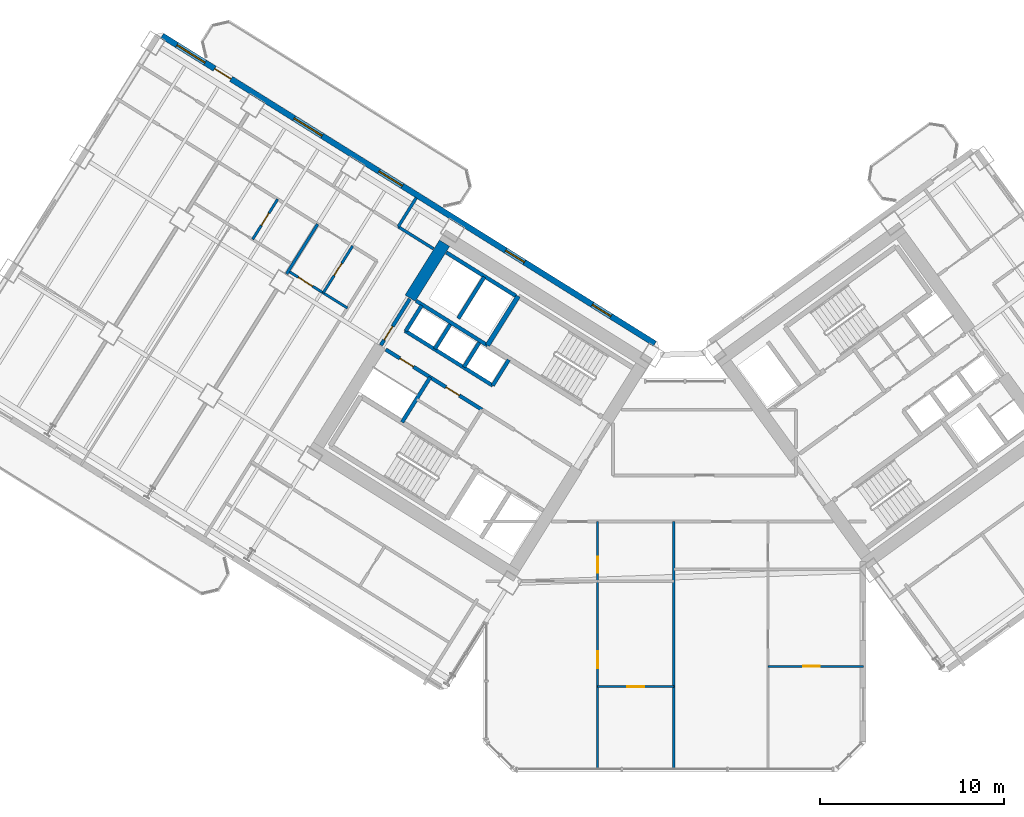
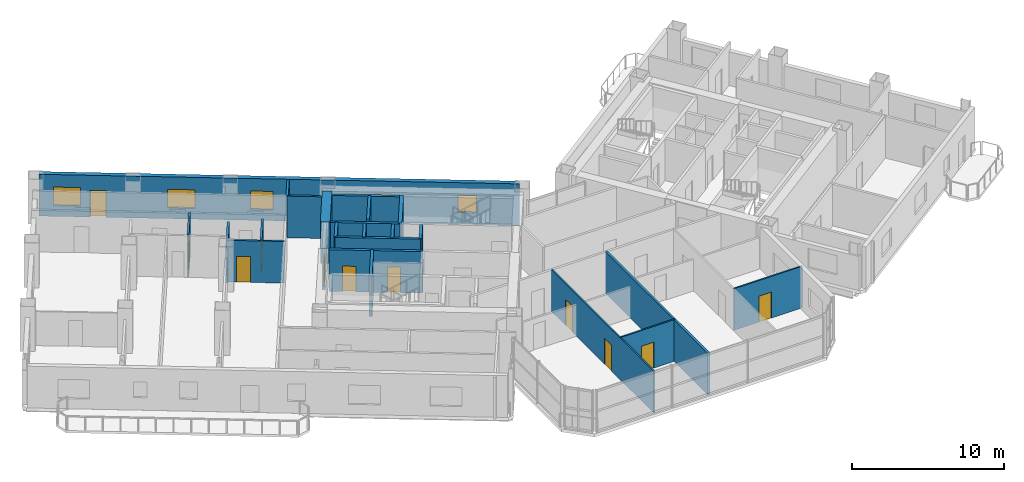
# One storey, part 16 of 24: 24 walls, 11 doors, 5 windows, 16 openings.
"""IFC4 building model written with IfcOpenShell, lengths in metres."""

from ifc_helpers import new_model, si_unit, direction, frame, frame_2d, origin, place, context, subcontext, project, spatial, rectangle, extrude, source, transform, mapped, material, layer, layer_set, type_object, element, fill, save


model = new_model("IFC4")

# Units and contexts
model_context = context("Model", 3, precision=1e-05, world=origin(), true_north=direction((0.0, 1.0)))
body_context = subcontext(model_context, "Body", "Model", "MODEL_VIEW")
ifc_project = project(units=[si_unit("LENGTHUNIT", "METRE"), si_unit("AREAUNIT", "SQUARE_METRE"), si_unit("VOLUMEUNIT", "CUBIC_METRE"), si_unit("PLANEANGLEUNIT", "RADIAN"), si_unit("MASSUNIT", "GRAM", prefix="KILO")], contexts=[model_context])

# Site, building, storey
site_placement = place(None, origin())
site = spatial("IfcSite", under=ifc_project, at=site_placement, CompositionType="ELEMENT")
building_placement = place(site_placement, origin())
building = spatial("IfcBuilding", under=site, at=building_placement, Name="Tlacorven Tower", CompositionType="ELEMENT")
storey_placement = place(building_placement, frame((0.0, 0.0, 38.39990234375)))
storey = spatial("IfcBuildingStorey", under=building, at=storey_placement, Name="L09", CompositionType="ELEMENT", Elevation=38.39990234375)

# Walls
ifc_material_1 = material(Name="Concrete C60/75", Category="concrete")
ifc_layer_1 = layer(ifc_material_1, 0.64990234375)
ifc_layer_set_1 = layer_set([ifc_layer_1], Name="Concrete C60/75")
wall_type_1 = type_object("IfcWallType", Name="WL-COR-650", PredefinedType="SHEAR", material=ifc_layer_set_1)
wall_1_placement = place(storey_placement, frame((29.49072265625, 30.5517578125, 0.0), z_axis=(0.0, 0.0, 1.0), x_axis=(-0.529893103397, -0.8480644427, 0.0)))
element("IfcWall", 1, at=wall_1_placement, inside=storey, type_object=wall_type_1, Name="L09 W core end wall E2.1", PredefinedType="SHEAR", context=body_context, shape_type="SweptSolid", body=[
    extrude(rectangle(XDim=3.525146484375, YDim=0.64990234375, at=frame_2d((1.7626953125, 0.0))), origin(), (0.0, 0.0, 1.0), 3.35009765625),
])
ifc_material_2 = material(Name="Gypsum plasterboard acoustic partition", Category="gypsum")
ifc_layer_2 = layer(ifc_material_2, 0.159912109375)
ifc_layer_set_2 = layer_set([ifc_layer_2], Name="Gypsum plasterboard acoustic partition")
wall_type_2 = type_object("IfcWallType", Name="WL-DEM-160", PredefinedType="PARTITIONING", material=ifc_layer_set_2)
wall_2_placement = place(storey_placement, frame((28.887451171875, 30.250732421875, 0.0), z_axis=(0.0, 0.0, 1.0), x_axis=(-0.848040823168, 0.52993090327, 0.0)))
element("IfcWall", 2, at=wall_2_placement, inside=storey, type_object=wall_type_2, Name="L09 partition 50", PredefinedType="PARTITIONING", context=body_context, shape_type="SweptSolid", body=[
    extrude(rectangle(XDim=2.2578125, YDim=0.159912109375, at=frame_2d((1.12890625, 0.0))), origin(), (0.0, 0.0, 1.0), 3.340087890625),
])
wall_3_placement = place(storey_placement, frame((27.952880859375, 33.01611328125, 0.0), z_axis=(0.0, 0.0, 1.0), x_axis=(-0.529880305451, -0.848072439061, 0.0)))
element("IfcWall", 3, at=wall_3_placement, inside=storey, type_object=wall_type_2, Name="L09 partition 52", PredefinedType="PARTITIONING", context=body_context, shape_type="SweptSolid", body=[
    extrude(rectangle(XDim=1.849853515625, YDim=0.159912109375, at=frame_2d((0.9248046875, 0.0))), origin(), (0.0, 0.0, 1.0), 3.340087890625),
])
wall_4_placement = place(storey_placement, frame((22.5927734375, 31.58984375, 0.0), z_axis=(0.0, 0.0, 1.0), x_axis=(-0.529930102756, -0.848041323399, 0.0)))
element("IfcWall", 4, at=wall_4_placement, inside=storey, type_object=wall_type_2, Name="L09 WN Demising Wall 1", PredefinedType="PARTITIONING", context=body_context, shape_type="SweptSolid", body=[
    extrude(rectangle(XDim=3.18798828125, YDim=0.159912109375, at=frame_2d((1.593994140625, 0.0))), origin(), (0.0, 0.0, 1.0), 2.72509765625),
])
wall_5_placement = place(storey_placement, frame((41.949951171875, 1.9599609375, 0.0), z_axis=(0.0, 0.0, 1.0), x_axis=(0.0, 1.0, 0.0)))
element("IfcWall", 5, at=wall_5_placement, inside=storey, type_object=wall_type_2, Name="L09 Knuckle Demising Wall 1", PredefinedType="PARTITIONING", context=body_context, shape_type="SweptSolid", body=[
    extrude(rectangle(XDim=13.4599609375, YDim=0.159912109375, at=frame_2d((6.72998046875, 0.0))), origin(), (0.0, 0.0, 1.0), 3.340087890625),
])

# Wall, openings, door, windows
ifc_material_3 = material(Name="Precast concrete C45/55", Category="concrete")
ifc_layer_3 = layer(ifc_material_3, 0.320068359375)
ifc_layer_set_3 = layer_set([ifc_layer_3], Name="Precast concrete C45/55")
wall_type_3 = type_object("IfcWallType", Name="WL-EXT-320", PredefinedType="STANDARD", material=ifc_layer_set_3)
wall_6_placement = place(storey_placement, frame((14.13818359375, 41.825439453125, 0.0), z_axis=(0.0, 0.0, 1.0), x_axis=(0.848046498049, -0.529921821731, 0.0)))
wall_6 = element("IfcWall", 6, at=wall_6_placement, inside=storey, type_object=wall_type_3, Name="L09 Masonry-Frame Recessed Facade Wall 3", PredefinedType="STANDARD", context=body_context, shape_type="SweptSolid", body=[
    extrude(rectangle(XDim=31.587646484375, YDim=0.320068359375, at=frame_2d((15.7939453125, 0.0))), origin(), (0.0, 0.0, 1.0), 3.35009765625),
])
opening_1_placement = place(wall_6_placement, frame((3.368896484375, 0.0, 0.0)))
opening_1 = element("IfcOpeningElement", 7, at=opening_1_placement, cuts=wall_6, Name="Opening D06", PredefinedType="OPENING", context=body_context, shape_type="SweptSolid", body=[
    extrude(rectangle(XDim=1.050048828125, YDim=2.14990234375, at=frame_2d((0.52490234375, 1.074951171875))), frame((0.0, 0.169921875, 0.0), z_axis=(0.0, -1.0, 0.0), x_axis=(1.0, 0.0, 0.0)), (0.0, 0.0, 1.0), 0.340087890625),
])
opening_2_placement = place(wall_6_placement, frame((0.9462890625, 0.0, 0.85009765625)))
opening_2 = element("IfcOpeningElement", 8, at=opening_2_placement, cuts=wall_6, Name="Opening WN01", PredefinedType="OPENING", context=body_context, shape_type="SweptSolid", body=[
    extrude(rectangle(XDim=1.800048828125, YDim=1.5, at=frame_2d((0.89990234375, 0.75))), frame((0.0, 0.169921875, 0.0), z_axis=(0.0, -1.0, 0.0), x_axis=(1.0, 0.0, 0.0)), (0.0, 0.0, 1.0), 0.340087890625),
])
opening_3_placement = place(wall_6_placement, frame((8.460205078125, 0.0, 0.85009765625)))
opening_3 = element("IfcOpeningElement", 9, at=opening_3_placement, cuts=wall_6, Name="Opening WN01", PredefinedType="OPENING", context=body_context, shape_type="SweptSolid", body=[
    extrude(rectangle(XDim=1.800048828125, YDim=1.5, at=frame_2d((0.89990234375, 0.75))), frame((0.0, 0.169921875, 0.0), z_axis=(0.0, -1.0, 0.0), x_axis=(1.0, 0.0, 0.0)), (0.0, 0.0, 1.0), 0.340087890625),
])
opening_4_placement = place(wall_6_placement, frame((13.898681640625, 0.0, 0.85009765625)))
opening_4 = element("IfcOpeningElement", 10, at=opening_4_placement, cuts=wall_6, Name="Opening WN02", PredefinedType="OPENING", context=body_context, shape_type="SweptSolid", body=[
    extrude(rectangle(XDim=1.5, YDim=1.5, at=frame_2d((0.75, 0.75))), frame((0.0, 0.169921875, 0.0), z_axis=(0.0, -1.0, 0.0), x_axis=(1.0, 0.0, 0.0)), (0.0, 0.0, 1.0), 0.340087890625),
])
opening_5_placement = place(wall_6_placement, frame((22.018798828125, 0.0, 0.949951171875)))
opening_5 = element("IfcOpeningElement", 11, at=opening_5_placement, cuts=wall_6, Name="Opening WN03", PredefinedType="OPENING", context=body_context, shape_type="SweptSolid", body=[
    extrude(rectangle(XDim=1.199951171875, YDim=1.39990234375, at=frame_2d((0.60009765625, 0.699951171875))), frame((0.0, 0.169921875, 0.0), z_axis=(0.0, -1.0, 0.0), x_axis=(1.0, 0.0, 0.0)), (0.0, 0.0, 1.0), 0.340087890625),
])
opening_6_placement = place(wall_6_placement, frame((27.568603515625, 0.0, 0.949951171875)))
opening_6 = element("IfcOpeningElement", 12, at=opening_6_placement, cuts=wall_6, Name="Opening WN03", PredefinedType="OPENING", context=body_context, shape_type="SweptSolid", body=[
    extrude(rectangle(XDim=1.199951171875, YDim=1.39990234375, at=frame_2d((0.60009765625, 0.699951171875))), frame((0.0, 0.169921875, 0.0), z_axis=(0.0, -1.0, 0.0), x_axis=(1.0, 0.0, 0.0)), (0.0, 0.0, 1.0), 0.340087890625),
])
ifc_material_4 = material(Name="Powder-coated aluminium and timber door", Category="wood")
door_type_1 = type_object("IfcDoorType", Name="DR-EXT-BALC-1050", OperationType="NOTDEFINED", PredefinedType="DOOR", material=ifc_material_4)
shared_shape_1 = source(origin(), body_context, "Body", "SweptSolid", [
    extrude(rectangle(XDim=1.050048828125, YDim=2.14990234375, at=frame_2d((0.52490234375, 1.074951171875))), frame((0.0, 0.02490234375, 0.0), z_axis=(0.0, -1.0, 0.0), x_axis=(1.0, 0.0, 0.0)), (0.0, 0.0, 1.0), 0.050048828125),
])
door_1_placement = place(opening_1_placement, origin())
door_1 = element("IfcDoor", 13, at=door_1_placement, inside=storey, type_object=door_type_1, Name="L09 Outdoor Access Door BAL-L09-W-IN", OperationType="SINGLE_SWING_RIGHT", OverallHeight=2.14990234375, OverallWidth=1.050048828125, PredefinedType="DOOR", context=body_context, shape_type="MappedRepresentation", body=[
    mapped(shared_shape_1, transform((0.0, 0.0, 0.0), scale=1.0)),
])
fill(opening_1, door_1)
ifc_material_5 = material(Name="Dark solar low-E double glazing in anodised aluminium frame", Category="aluminium")
window_type_1 = type_object("IfcWindowType", Name="WN-APT-1200X1500", PartitioningType="SINGLE_PANEL", PredefinedType="WINDOW", material=ifc_material_5)
shared_shape_2 = source(origin(), body_context, "Body", "SweptSolid", [
    extrude(rectangle(XDim=1.199951171875, YDim=1.39990234375, at=frame_2d((0.60009765625, 0.699951171875))), frame((0.0, 0.030029296875, 0.0), z_axis=(0.0, -1.0, 0.0), x_axis=(1.0, 0.0, 0.0)), (0.0, 0.0, 1.0), 0.06005859375),
])
window_1_placement = place(opening_5_placement, origin())
window_1 = element("IfcWindow", 14, at=window_1_placement, inside=storey, type_object=window_type_1, Name="L09 Recessed Masonry-Frame Window L09-03.4", OverallHeight=1.39990234375, OverallWidth=1.199951171875, PartitioningType="SINGLE_PANEL", PredefinedType="WINDOW", context=body_context, shape_type="MappedRepresentation", body=[
    mapped(shared_shape_2, transform((0.0, 0.0, 0.0), scale=1.0)),
])
fill(opening_5, window_1)
window_2_placement = place(opening_6_placement, origin())
window_2 = element("IfcWindow", 15, at=window_2_placement, inside=storey, type_object=window_type_1, Name="L09 Recessed Masonry-Frame Window L09-03.5", OverallHeight=1.39990234375, OverallWidth=1.199951171875, PartitioningType="SINGLE_PANEL", PredefinedType="WINDOW", context=body_context, shape_type="MappedRepresentation", body=[
    mapped(shared_shape_2, transform((0.0, 0.0, 0.0), scale=1.0)),
])
fill(opening_6, window_2)
window_type_2 = type_object("IfcWindowType", Name="WN-APT-1800X1650", PartitioningType="SINGLE_PANEL", PredefinedType="WINDOW", material=ifc_material_5)
shared_shape_3 = source(origin(), body_context, "Body", "SweptSolid", [
    extrude(rectangle(XDim=1.800048828125, YDim=1.5, at=frame_2d((0.89990234375, 0.75))), frame((0.0, 0.030029296875, 0.0), z_axis=(0.0, -1.0, 0.0), x_axis=(1.0, 0.0, 0.0)), (0.0, 0.0, 1.0), 0.06005859375),
])
window_3_placement = place(opening_2_placement, origin())
window_3 = element("IfcWindow", 16, at=window_3_placement, inside=storey, type_object=window_type_2, Name="L09 Recessed Masonry-Frame Window L09-03.1", OverallHeight=1.5, OverallWidth=1.800048828125, PartitioningType="SINGLE_PANEL", PredefinedType="WINDOW", context=body_context, shape_type="MappedRepresentation", body=[
    mapped(shared_shape_3, transform((0.0, 0.0, 0.0), scale=1.0)),
])
fill(opening_2, window_3)
window_4_placement = place(opening_3_placement, origin())
window_4 = element("IfcWindow", 17, at=window_4_placement, inside=storey, type_object=window_type_2, Name="L09 Recessed Masonry-Frame Window L09-03.2", OverallHeight=1.5, OverallWidth=1.800048828125, PartitioningType="SINGLE_PANEL", PredefinedType="WINDOW", context=body_context, shape_type="MappedRepresentation", body=[
    mapped(shared_shape_3, transform((0.0, 0.0, 0.0), scale=1.0)),
])
fill(opening_3, window_4)
window_type_3 = type_object("IfcWindowType", Name="WN-APT-1500X1650", PartitioningType="SINGLE_PANEL", PredefinedType="WINDOW", material=ifc_material_5)
shared_shape_4 = source(origin(), body_context, "Body", "SweptSolid", [
    extrude(rectangle(XDim=1.5, YDim=1.5, at=frame_2d((0.75, 0.75))), frame((0.0, 0.030029296875, 0.0), z_axis=(0.0, -1.0, 0.0), x_axis=(1.0, 0.0, 0.0)), (0.0, 0.0, 1.0), 0.06005859375),
])
window_5_placement = place(opening_4_placement, origin())
window_5 = element("IfcWindow", 18, at=window_5_placement, inside=storey, type_object=window_type_3, Name="L09 Recessed Masonry-Frame Window L09-03.3", OverallHeight=1.5, OverallWidth=1.5, PartitioningType="SINGLE_PANEL", PredefinedType="WINDOW", context=body_context, shape_type="MappedRepresentation", body=[
    mapped(shared_shape_4, transform((0.0, 0.0, 0.0), scale=1.0)),
])
fill(opening_4, window_5)

# Wall, openings, doors
ifc_material_6 = material(Name="Gypsum plasterboard partition", Category="gypsum")
ifc_layer_4 = layer(ifc_material_6, 0.110107421875)
ifc_layer_set_4 = layer_set([ifc_layer_4], Name="Gypsum plasterboard partition")
wall_type_4 = type_object("IfcWallType", Name="WL-INT-110", PredefinedType="PARTITIONING", material=ifc_layer_set_4)
wall_7_placement = place(storey_placement, frame((37.81298828125, 1.9599609375, 0.0), z_axis=(0.0, 0.0, 1.0), x_axis=(0.0, 1.0, 0.0)))
wall_7 = element("IfcWall", 19, at=wall_7_placement, inside=storey, type_object=wall_type_4, Name="L09 partition 78", PredefinedType="PARTITIONING", context=body_context, shape_type="SweptSolid", body=[
    extrude(rectangle(XDim=13.4599609375, YDim=0.110107421875, at=frame_2d((6.72998046875, 0.0))), origin(), (0.0, 0.0, 1.0), 3.340087890625),
])
opening_7_placement = place(wall_7_placement, frame((5.5, 0.0, 0.0)))
opening_7 = element("IfcOpeningElement", 20, at=opening_7_placement, cuts=wall_7, Name="Opening D12", PredefinedType="OPENING", context=body_context, shape_type="SweptSolid", body=[
    extrude(rectangle(XDim=0.919921875, YDim=2.080078125, at=frame_2d((0.4599609375, 1.0400390625))), frame((0.0, 0.06494140625, 0.0), z_axis=(0.0, -1.0, 0.0), x_axis=(1.0, 0.0, 0.0)), (0.0, 0.0, 1.0), 0.130126953125),
])
opening_8_placement = place(wall_7_placement, frame((10.669921875, 0.0, 0.0)))
opening_8 = element("IfcOpeningElement", 21, at=opening_8_placement, cuts=wall_7, Name="Opening D13", PredefinedType="OPENING", context=body_context, shape_type="SweptSolid", body=[
    extrude(rectangle(XDim=0.8798828125, YDim=2.080078125, at=frame_2d((0.43994140625, 1.0400390625))), frame((0.0, 0.06494140625, 0.0), z_axis=(0.0, -1.0, 0.0), x_axis=(1.0, 0.0, 0.0)), (0.0, 0.0, 1.0), 0.130126953125),
])
door_type_2 = type_object("IfcDoorType", Name="DR-INT-WET-0880", OperationType="NOTDEFINED", PredefinedType="DOOR", material=ifc_material_4)
shared_shape_5 = source(origin(), body_context, "Body", "SweptSolid", [
    extrude(rectangle(XDim=0.8798828125, YDim=2.080078125, at=frame_2d((0.43994140625, 1.0400390625))), frame((0.0, 0.02490234375, 0.0), z_axis=(0.0, -1.0, 0.0), x_axis=(1.0, 0.0, 0.0)), (0.0, 0.0, 1.0), 0.050048828125),
])
door_2_placement = place(opening_8_placement, origin())
door_2 = element("IfcDoor", 22, at=door_2_placement, inside=storey, type_object=door_type_2, Name="L09 door 045", OperationType="SINGLE_SWING_RIGHT", OverallHeight=2.080078125, OverallWidth=0.8798828125, PredefinedType="DOOR", context=body_context, shape_type="MappedRepresentation", body=[
    mapped(shared_shape_5, transform((0.0, 0.0, 0.0), scale=1.0)),
])
fill(opening_8, door_2)
door_type_3 = type_object("IfcDoorType", Name="DR-INT-ROOM-0920", OperationType="NOTDEFINED", PredefinedType="DOOR", material=ifc_material_4)
shared_shape_6 = source(origin(), body_context, "Body", "SweptSolid", [
    extrude(rectangle(XDim=0.919921875, YDim=2.080078125, at=frame_2d((0.4599609375, 1.0400390625))), frame((0.0, 0.02490234375, 0.0), z_axis=(0.0, -1.0, 0.0), x_axis=(1.0, 0.0, 0.0)), (0.0, 0.0, 1.0), 0.050048828125),
])
door_3_placement = place(opening_7_placement, origin())
door_3 = element("IfcDoor", 23, at=door_3_placement, inside=storey, type_object=door_type_3, Name="L09 door 041", OperationType="SINGLE_SWING_RIGHT", OverallHeight=2.080078125, OverallWidth=0.919921875, PredefinedType="DOOR", context=body_context, shape_type="MappedRepresentation", body=[
    mapped(shared_shape_6, transform((0.0, 0.0, 0.0), scale=1.0)),
])
fill(opening_7, door_3)

# Wall, opening, door
wall_8_placement = place(storey_placement, frame((37.81298828125, 6.449951171875, 0.0), z_axis=(0.0, 0.0, 1.0), x_axis=(1.0, 0.0, 0.0)))
wall_8 = element("IfcWall", 24, at=wall_8_placement, inside=storey, type_object=wall_type_4, Name="L09 partition 81", PredefinedType="PARTITIONING", context=body_context, shape_type="SweptSolid", body=[
    extrude(rectangle(XDim=4.136962890625, YDim=0.110107421875, at=frame_2d((2.068359375, 0.0))), origin(), (0.0, 0.0, 1.0), 3.340087890625),
])
opening_9_placement = place(wall_8_placement, frame((1.6083984375, 0.0, 0.0)))
opening_9 = element("IfcOpeningElement", 25, at=opening_9_placement, cuts=wall_8, Name="Opening D12", PredefinedType="OPENING", context=body_context, shape_type="SweptSolid", body=[
    extrude(rectangle(XDim=0.919921875, YDim=2.080078125, at=frame_2d((0.4599609375, 1.0400390625))), frame((0.0, 0.06494140625, 0.0), z_axis=(0.0, -1.0, 0.0), x_axis=(1.0, 0.0, 0.0)), (0.0, 0.0, 1.0), 0.130126953125),
])
door_4_placement = place(opening_9_placement, origin())
door_4 = element("IfcDoor", 26, at=door_4_placement, inside=storey, type_object=door_type_3, Name="L09 door 042", OperationType="SINGLE_SWING_LEFT", OverallHeight=2.080078125, OverallWidth=0.919921875, PredefinedType="DOOR", context=body_context, shape_type="MappedRepresentation", body=[
    mapped(shared_shape_6, transform((0.0, 0.0, 0.0), scale=1.0)),
])
fill(opening_9, door_4)

wall_9_placement = place(storey_placement, frame((47.072021484375, 7.550048828125, 0.0), z_axis=(0.0, 0.0, 1.0), x_axis=(1.0, 0.0, 0.0)))
wall_9 = element("IfcWall", 27, at=wall_9_placement, inside=storey, type_object=wall_type_4, Name="L09 partition 85", PredefinedType="PARTITIONING", context=body_context, shape_type="SweptSolid", body=[
    extrude(rectangle(XDim=5.18798828125, YDim=0.110107421875, at=frame_2d((2.593994140625, 0.0))), origin(), (0.0, 0.0, 1.0), 3.340087890625),
])
opening_10_placement = place(wall_9_placement, frame((1.904052734375, 0.0, 0.0)))
opening_10 = element("IfcOpeningElement", 28, at=opening_10_placement, cuts=wall_9, Name="Opening D12", PredefinedType="OPENING", context=body_context, shape_type="SweptSolid", body=[
    extrude(rectangle(XDim=0.919921875, YDim=2.080078125, at=frame_2d((0.4599609375, 1.0400390625))), frame((0.0, 0.06494140625, 0.0), z_axis=(0.0, -1.0, 0.0), x_axis=(1.0, 0.0, 0.0)), (0.0, 0.0, 1.0), 0.130126953125),
])
door_5_placement = place(opening_10_placement, origin())
door_5 = element("IfcDoor", 29, at=door_5_placement, inside=storey, type_object=door_type_3, Name="L09 door 047", OperationType="SINGLE_SWING_RIGHT", OverallHeight=2.080078125, OverallWidth=0.919921875, PredefinedType="DOOR", context=body_context, shape_type="MappedRepresentation", body=[
    mapped(shared_shape_6, transform((0.0, 0.0, 0.0), scale=1.0)),
])
fill(opening_10, door_5)

ifc_material_7 = material(Name="Moisture-resistant gypsum plumbing wall", Category="gypsum")
ifc_layer_5 = layer(ifc_material_7, 0.139892578125)
ifc_layer_set_5 = layer_set([ifc_layer_5], Name="Moisture-resistant gypsum plumbing wall")
wall_type_5 = type_object("IfcWallType", Name="WL-PLM-140", PredefinedType="PLUMBINGWALL", material=ifc_layer_set_5)
wall_10_placement = place(storey_placement, frame((24.211669921875, 27.02880859375, 0.0), z_axis=(0.0, 0.0, 1.0), x_axis=(-0.84803087207, 0.529946827537, 0.0)))
wall_10 = element("IfcWall", 30, at=wall_10_placement, inside=storey, type_object=wall_type_5, Name="L09 partition 57", PredefinedType="PLUMBINGWALL", context=body_context, shape_type="SweptSolid", body=[
    extrude(rectangle(XDim=3.7900390625, YDim=0.139892578125, at=frame_2d((1.89501953125, 0.0))), origin(), (0.0, 0.0, 1.0), 3.340087890625),
])
opening_11_placement = place(wall_10_placement, frame((2.22998046875, 0.0, 0.0)))
opening_11 = element("IfcOpeningElement", 31, at=opening_11_placement, cuts=wall_10, Name="Opening D12", PredefinedType="OPENING", context=body_context, shape_type="SweptSolid", body=[
    extrude(rectangle(XDim=0.919921875, YDim=2.080078125, at=frame_2d((0.4599609375, 1.0400390625))), frame((0.0, 0.080078125, 0.0), z_axis=(0.0, -1.0, 0.0), x_axis=(1.0, 0.0, 0.0)), (0.0, 0.0, 1.0), 0.159912109375),
])
door_6_placement = place(opening_11_placement, origin())
door_6 = element("IfcDoor", 32, at=door_6_placement, inside=storey, type_object=door_type_3, Name="L09 door 024", OperationType="SINGLE_SWING_LEFT", OverallHeight=2.080078125, OverallWidth=0.919921875, PredefinedType="DOOR", context=body_context, shape_type="MappedRepresentation", body=[
    mapped(shared_shape_6, transform((0.0, 0.0, 0.0), scale=1.0)),
])
fill(opening_11, door_6)

wall_11_placement = place(storey_placement, frame((24.492431640625, 30.40283203125, 0.0), z_axis=(0.0, 0.0, 1.0), x_axis=(-0.529977067289, -0.848011974059, 0.0)))
wall_11 = element("IfcWall", 33, at=wall_11_placement, inside=storey, type_object=wall_type_5, Name="L09 partition 58", PredefinedType="PLUMBINGWALL", context=body_context, shape_type="SweptSolid", body=[
    extrude(rectangle(XDim=3.010009765625, YDim=0.139892578125, at=frame_2d((1.5048828125, 0.0))), origin(), (0.0, 0.0, 1.0), 2.9951171875),
])
opening_12_placement = place(wall_11_placement, frame((1.114990234375, 0.0, 0.0)))
opening_12 = element("IfcOpeningElement", 34, at=opening_12_placement, cuts=wall_11, Name="Opening D22", PredefinedType="OPENING", context=body_context, shape_type="SweptSolid", body=[
    extrude(rectangle(XDim=0.780029296875, YDim=2.050048828125, at=frame_2d((0.39013671875, 1.02490234375))), frame((0.0, 0.080078125, 0.0), z_axis=(0.0, -1.0, 0.0), x_axis=(1.0, 0.0, 0.0)), (0.0, 0.0, 1.0), 0.159912109375),
])
door_type_4 = type_object("IfcDoorType", Name="DR-INT-WET-0780", OperationType="NOTDEFINED", PredefinedType="DOOR", material=ifc_material_4)
shared_shape_7 = source(origin(), body_context, "Body", "SweptSolid", [
    extrude(rectangle(XDim=0.780029296875, YDim=2.050048828125, at=frame_2d((0.39013671875, 1.02490234375))), frame((0.0, 0.02490234375, 0.0), z_axis=(0.0, -1.0, 0.0), x_axis=(1.0, 0.0, 0.0)), (0.0, 0.0, 1.0), 0.050048828125),
])
door_7_placement = place(opening_12_placement, origin())
door_7 = element("IfcDoor", 35, at=door_7_placement, inside=storey, type_object=door_type_4, Name="L09 door 025", OperationType="SINGLE_SWING_RIGHT", OverallHeight=2.050048828125, OverallWidth=0.780029296875, PredefinedType="DOOR", context=body_context, shape_type="MappedRepresentation", body=[
    mapped(shared_shape_7, transform((0.0, 0.0, 0.0), scale=1.0)),
])
fill(opening_12, door_7)

wall_12_placement = place(storey_placement, frame((20.421630859375, 32.946533203125, 0.0), z_axis=(0.0, 0.0, 1.0), x_axis=(-0.529913878929, -0.848051461244, 0.0)))
wall_12 = element("IfcWall", 36, at=wall_12_placement, inside=storey, type_object=wall_type_5, Name="L09 partition 61", PredefinedType="PLUMBINGWALL", context=body_context, shape_type="SweptSolid", body=[
    extrude(rectangle(XDim=2.580078125, YDim=0.139892578125, at=frame_2d((1.2900390625, 0.0))), origin(), (0.0, 0.0, 1.0), 3.340087890625),
])
opening_13_placement = place(wall_12_placement, frame((0.89990234375, 0.0, 0.0)))
opening_13 = element("IfcOpeningElement", 37, at=opening_13_placement, cuts=wall_12, Name="Opening D22", PredefinedType="OPENING", context=body_context, shape_type="SweptSolid", body=[
    extrude(rectangle(XDim=0.780029296875, YDim=2.050048828125, at=frame_2d((0.39013671875, 1.02490234375))), frame((0.0, 0.080078125, 0.0), z_axis=(0.0, -1.0, 0.0), x_axis=(1.0, 0.0, 0.0)), (0.0, 0.0, 1.0), 0.159912109375),
])
door_8_placement = place(opening_13_placement, origin())
door_8 = element("IfcDoor", 38, at=door_8_placement, inside=storey, type_object=door_type_4, Name="L09 door 029", OperationType="SINGLE_SWING_RIGHT", OverallHeight=2.050048828125, OverallWidth=0.780029296875, PredefinedType="DOOR", context=body_context, shape_type="MappedRepresentation", body=[
    mapped(shared_shape_7, transform((0.0, 0.0, 0.0), scale=1.0)),
])
fill(opening_13, door_8)

# Walls
ifc_material_8 = material(Name="Concrete C40/50", Category="concrete")
ifc_layer_6 = layer(ifc_material_8, 0.199951171875)
ifc_layer_set_6 = layer_set([ifc_layer_6], Name="Concrete C40/50")
wall_type_6 = type_object("IfcWallType", Name="WL-SHF-200", PredefinedType="STANDARD", material=ifc_layer_set_6)
wall_13_placement = place(storey_placement, frame((31.82177734375, 24.99755859375, 0.0), z_axis=(0.0, 0.0, 1.0), x_axis=(-0.848058348634, 0.529902856485, 0.0)))
element("IfcWall", 39, at=wall_13_placement, inside=storey, type_object=wall_type_6, Name="L09 Core W South Lift Shaft Wall", PredefinedType="STANDARD", context=body_context, shape_type="SweptSolid", body=[
    extrude(rectangle(XDim=4.568115234375, YDim=0.199951171875, at=frame_2d((2.2841796875, 0.0))), origin(), (0.0, 0.0, 1.0), 3.340087890625),
])
wall_14_placement = place(storey_placement, frame((32.108154296875, 22.81396484375, 0.0), z_axis=(0.0, 0.0, 1.0), x_axis=(-0.848042229521, 0.529928652696, 0.0)))
element("IfcWall", 40, at=wall_14_placement, inside=storey, type_object=wall_type_6, Name="L09 partition 11", PredefinedType="STANDARD", context=body_context, shape_type="SweptSolid", body=[
    extrude(rectangle(XDim=5.6201171875, YDim=0.199951171875, at=frame_2d((2.81005859375, 0.0))), origin(), (0.0, 0.0, 1.0), 3.340087890625),
])
wall_15_placement = place(storey_placement, frame((32.982421875, 24.21337890625, 0.0), z_axis=(0.0, 0.0, 1.0), x_axis=(-0.529839334948, -0.84809803628, 0.0)))
element("IfcWall", 41, at=wall_15_placement, inside=storey, type_object=wall_type_6, Name="L09 partition 12", PredefinedType="STANDARD", context=body_context, shape_type="SweptSolid", body=[
    extrude(rectangle(XDim=1.650146484375, YDim=0.199951171875, at=frame_2d((0.8251953125, 0.0))), origin(), (0.0, 0.0, 1.0), 3.340087890625),
])
wall_16_placement = place(storey_placement, frame((28.250244140625, 27.170166015625, 0.0), z_axis=(0.0, 0.0, 1.0), x_axis=(-0.529905827651, -0.848056492117, 0.0)))
element("IfcWall", 42, at=wall_16_placement, inside=storey, type_object=wall_type_6, Name="L09 partition 13", PredefinedType="STANDARD", context=body_context, shape_type="SweptSolid", body=[
    extrude(rectangle(XDim=1.64990234375, YDim=0.199951171875, at=frame_2d((0.824951171875, 0.0))), origin(), (0.0, 0.0, 1.0), 3.340087890625),
])
wall_17_placement = place(storey_placement, frame((31.645263671875, 28.716064453125, 0.0), z_axis=(0.0, 0.0, 1.0), x_axis=(-0.52986693015, -0.848080795876, 0.0)))
element("IfcWall", 43, at=wall_17_placement, inside=storey, type_object=wall_type_6, Name="L09 partition 15", PredefinedType="STANDARD", context=body_context, shape_type="SweptSolid", body=[
    extrude(rectangle(XDim=2.659912109375, YDim=0.199951171875, at=frame_2d((1.330078125, 0.0))), origin(), (0.0, 0.0, 1.0), 3.340087890625),
])
wall_18_placement = place(storey_placement, frame((33.362548828125, 27.690185546875, 0.0), z_axis=(0.0, 0.0, 1.0), x_axis=(-0.848053806312, 0.529910125964, 0.0)))
element("IfcWall", 44, at=wall_18_placement, inside=storey, type_object=wall_type_6, Name="L09 partition 17", PredefinedType="STANDARD", context=body_context, shape_type="SweptSolid", body=[
    extrude(rectangle(XDim=4.44775390625, YDim=0.199951171875, at=frame_2d((2.223876953125, 0.0))), origin(), (0.0, 0.0, 1.0), 3.340087890625),
])
for number, where, z_axis, x_axis, name in (
    (45, (31.378662109375, 25.156494140625, 0.0), (0.0, 0.0, 1.0), (-0.529998940003, -0.847998304005, 0.0), "L09 partition 18"),
    (46, (29.80126953125, 26.14208984375, 0.0), (0.0, 0.0, 1.0), (-0.529998940003, -0.847998304005, 0.0), "L09 partition 19"),
):
    element("IfcWall", number, at=place(storey_placement, frame(where, z_axis=z_axis, x_axis=x_axis)), inside=storey, type_object=wall_type_6, Name=name, PredefinedType="STANDARD", context=body_context, shape_type="SweptSolid", body=[
        extrude(rectangle(XDim=1.580078125, YDim=0.199951171875, at=frame_2d((0.7900390625, 0.0))), origin(), (0.0, 0.0, 1.0), 3.340087890625),
    ])
wall_19_placement = place(storey_placement, frame((28.709716796875, 23.26318359375, 0.0), z_axis=(0.0, 0.0, 1.0), x_axis=(-0.529907497854, -0.848055448493, 0.0)))
element("IfcWall", 47, at=wall_19_placement, inside=storey, type_object=wall_type_6, Name="L09 partition 21", PredefinedType="STANDARD", context=body_context, shape_type="SweptSolid", body=[
    extrude(rectangle(XDim=2.8798828125, YDim=0.199951171875, at=frame_2d((1.43994140625, 0.0))), origin(), (0.0, 0.0, 1.0), 3.340087890625),
])

# Wall, openings, doors
wall_20_placement = place(storey_placement, frame((31.525146484375, 21.503662109375, 0.0), z_axis=(0.0, 0.0, 1.0), x_axis=(-0.848044998614, 0.529924221305, 0.0)))
wall_20 = element("IfcWall", 48, at=wall_20_placement, inside=storey, type_object=wall_type_6, Name="L09 Core W North Service Wall", PredefinedType="STANDARD", context=body_context, shape_type="SweptSolid", body=[
    extrude(rectangle(XDim=6.16796875, YDim=0.199951171875, at=frame_2d((3.083984375, 0.0))), origin(), (0.0, 0.0, 1.0), 3.340087890625),
])
opening_14_placement = place(wall_20_placement, frame((4.39990234375, 0.0, 0.0)))
opening_14 = element("IfcOpeningElement", 49, at=opening_14_placement, cuts=wall_20, Name="Opening D19", PredefinedType="OPENING", context=body_context, shape_type="SweptSolid", body=[
    extrude(rectangle(XDim=0.860107421875, YDim=2.050048828125, at=frame_2d((0.43017578125, 1.02490234375))), frame((0.0, 0.10986328125, 0.0), z_axis=(0.0, -1.0, 0.0), x_axis=(1.0, 0.0, 0.0)), (0.0, 0.0, 1.0), 0.219970703125),
])
opening_15_placement = place(wall_20_placement, frame((1.449951171875, 0.0, 0.0)))
opening_15 = element("IfcOpeningElement", 50, at=opening_15_placement, cuts=wall_20, Name="Opening D19", PredefinedType="OPENING", context=body_context, shape_type="SweptSolid", body=[
    extrude(rectangle(XDim=0.860107421875, YDim=2.050048828125, at=frame_2d((0.43017578125, 1.02490234375))), frame((0.0, 0.10986328125, 0.0), z_axis=(0.0, -1.0, 0.0), x_axis=(1.0, 0.0, 0.0)), (0.0, 0.0, 1.0), 0.219970703125),
])
ifc_material_9 = material(Name="Fire-rated steel door assembly", Category="steel")
door_type_5 = type_object("IfcDoorType", Name="DR-RSR-FD60-0860", OperationType="NOTDEFINED", PredefinedType="DOOR", material=ifc_material_9)
shared_shape_8 = source(origin(), body_context, "Body", "SweptSolid", [
    extrude(rectangle(XDim=0.860107421875, YDim=2.050048828125, at=frame_2d((0.43017578125, 1.02490234375))), frame((0.0, 0.02490234375, 0.0), z_axis=(0.0, -1.0, 0.0), x_axis=(1.0, 0.0, 0.0)), (0.0, 0.0, 1.0), 0.050048828125),
])
door_9_placement = place(opening_14_placement, frame((0.860107421875, 0.0, 0.0), z_axis=(0.0, 0.0, 1.0), x_axis=(-1.0, 0.0, 0.0)))
door_9 = element("IfcDoor", 51, at=door_9_placement, inside=storey, type_object=door_type_5, Name="L09 Electrical Riser Access Door W", OperationType="SINGLE_SWING_RIGHT", OverallHeight=2.050048828125, OverallWidth=0.860107421875, PredefinedType="DOOR", context=body_context, shape_type="MappedRepresentation", body=[
    mapped(shared_shape_8, transform((0.0, 0.0, 0.0), scale=1.0)),
])
fill(opening_14, door_9)
door_10_placement = place(opening_15_placement, frame((0.860107421875, 0.0, 0.0), z_axis=(0.0, 0.0, 1.0), x_axis=(-1.0, 0.0, 0.0)))
door_10 = element("IfcDoor", 52, at=door_10_placement, inside=storey, type_object=door_type_5, Name="L09 Cleaner Store Access Door W", OperationType="SINGLE_SWING_LEFT", OverallHeight=2.050048828125, OverallWidth=0.860107421875, PredefinedType="DOOR", context=body_context, shape_type="MappedRepresentation", body=[
    mapped(shared_shape_8, transform((0.0, 0.0, 0.0), scale=1.0)),
])
fill(opening_15, door_10)

# Wall, opening, door
wall_21_placement = place(storey_placement, frame((27.59619140625, 27.52001953125, 0.0), z_axis=(0.0, 0.0, 1.0), x_axis=(-0.529865479138, -0.848081702443, 0.0)))
wall_21 = element("IfcWall", 53, at=wall_21_placement, inside=storey, type_object=wall_type_6, Name="L09 partition 49", PredefinedType="STANDARD", context=body_context, shape_type="SweptSolid", body=[
    extrude(rectangle(XDim=2.9599609375, YDim=0.199951171875, at=frame_2d((1.47998046875, 0.0))), origin(), (0.0, 0.0, 1.0), 3.340087890625),
])
opening_16_placement = place(wall_21_placement, frame((1.760009765625, 0.0, 0.0)))
opening_16 = element("IfcOpeningElement", 54, at=opening_16_placement, cuts=wall_21, Name="Opening D19", PredefinedType="OPENING", context=body_context, shape_type="SweptSolid", body=[
    extrude(rectangle(XDim=0.860107421875, YDim=2.050048828125, at=frame_2d((0.43017578125, 1.02490234375))), frame((0.0, 0.10986328125, 0.0), z_axis=(0.0, -1.0, 0.0), x_axis=(1.0, 0.0, 0.0)), (0.0, 0.0, 1.0), 0.219970703125),
])
door_11_placement = place(opening_16_placement, origin())
door_11 = element("IfcDoor", 55, at=door_11_placement, inside=storey, type_object=door_type_5, Name="L09 door 022", OperationType="SINGLE_SWING_LEFT", OverallHeight=2.050048828125, OverallWidth=0.860107421875, PredefinedType="DOOR", context=body_context, shape_type="MappedRepresentation", body=[
    mapped(shared_shape_8, transform((0.0, 0.0, 0.0), scale=1.0)),
])
fill(opening_16, door_11)

# Wall
ifc_material_10 = material(Name="Concrete C50/60", Category="concrete")
ifc_layer_7 = layer(ifc_material_10, 0.260009765625)
ifc_layer_set_7 = layer_set([ifc_layer_7], Name="Concrete C50/60")
wall_type_7 = type_object("IfcWallType", Name="WL-STW-260", PredefinedType="SHEAR", material=ifc_layer_set_7)
wall_22_placement = place(storey_placement, frame((33.496337890625, 27.677490234375, 0.0), z_axis=(0.0, 0.0, 1.0), x_axis=(-0.529908658664, -0.84805472316, 0.0)))
element("IfcWall", 56, at=wall_22_placement, inside=storey, type_object=wall_type_7, Name="L09 Stair W2 East Shear Wall", PredefinedType="SHEAR", context=body_context, shape_type="SweptSolid", body=[
    extrude(rectangle(XDim=3.16015625, YDim=0.260009765625, at=frame_2d((1.580078125, 0.0))), origin(), (0.0, 0.0, 1.0), 3.35009765625),
])

save(model, "model.ifc")
